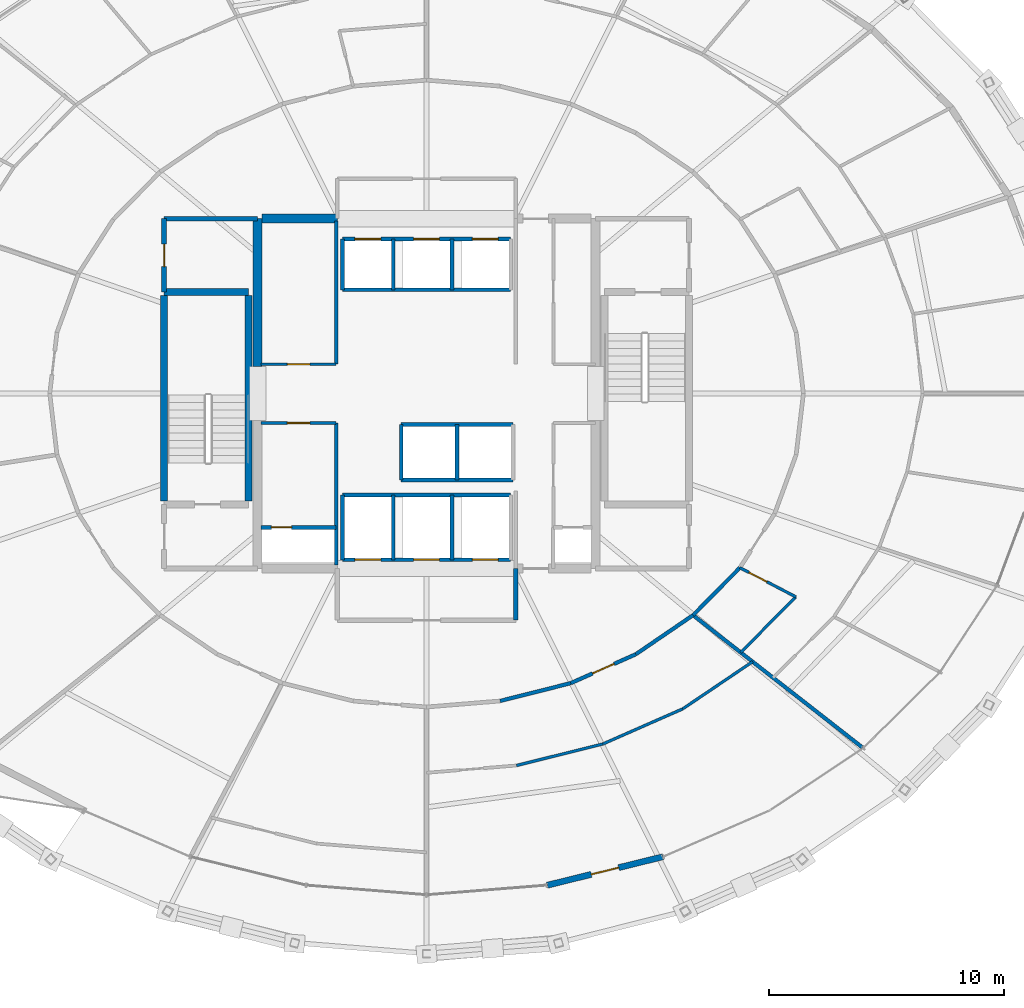
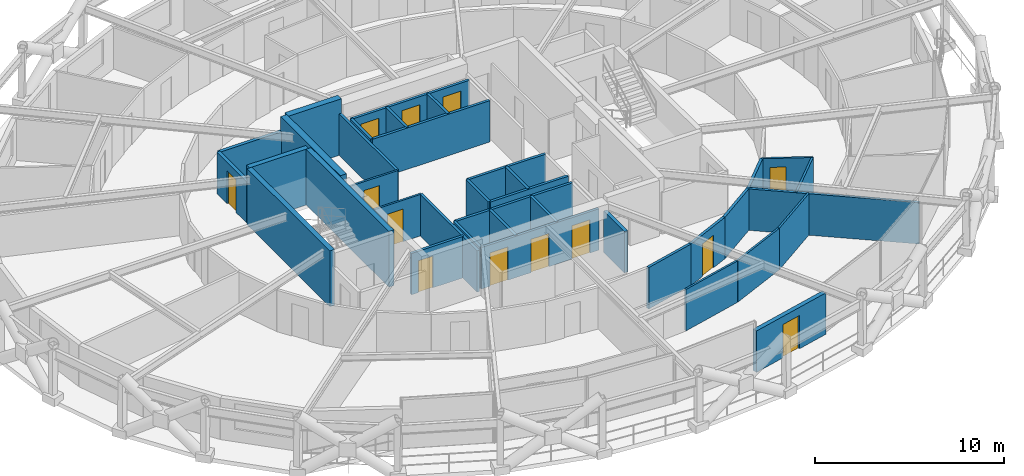
# One storey, part 16 of 23: 38 walls, 13 doors, 13 openings.
"""IFC4 building model written with IfcOpenShell, lengths in metres."""

import ifcopenshell
import ifcopenshell.guid

model = None  # the IFC model being written
_history = None  # IfcOwnerHistory: only IFC2X3 demands one
_inside = {}  # id of a spatial element -> (the spatial element, [elements in it])
_under = {}  # id of a project, library or spatial element -> (it, [spatial elements below it])
_declared = {}  # id of a project -> (the project, [libraries it declares])
_typed = {}  # id of a type object -> (the type object, [elements of that type])
_made_of = {}  # id of a material, layer set ... -> (it, [elements and type objects made of it])


def new_model(schema):
    """Start an empty IFC model of exactly this schema.

    Asked for "IFC4X3", IfcOpenShell would pick the latest addendum, in which some entities
    have other attributes; the version numbers below select the first issue.
    IFC2X3 requires an IfcOwnerHistory on every rooted entity: one is made here for all.
    """
    global model, _history
    if schema == "IFC4X3":
        model = ifcopenshell.file(schema_version=(4, 3, 0, 0))
    else:
        model = ifcopenshell.file(schema=schema)
    _inside.clear()
    _under.clear()
    _declared.clear()
    _typed.clear()
    _made_of.clear()
    _history = None
    if model.schema == "IFC2X3":
        org = make("IfcOrganization", Name="unknown")
        user = make(
            "IfcPersonAndOrganization",
            ThePerson=make("IfcPerson", FamilyName="unknown"),
            TheOrganization=org,
        )
        app = make(
            "IfcApplication",
            ApplicationDeveloper=org,
            Version="unknown",
            ApplicationFullName="unknown",
            ApplicationIdentifier="unknown",
        )
        _history = make(
            "IfcOwnerHistory",
            OwningUser=user,
            OwningApplication=app,
            ChangeAction="ADDED",
            CreationDate=0,
        )
    return model


def make(cls, **values):
    """One entity of the class cls with the attributes given. An attribute that is None is left unset."""
    return model.create_entity(
        cls, **{name: value for name, value in values.items() if value is not None}
    )


def rooted(cls, **values):
    """An entity with a GlobalId (a new one), such as an element, a storey or a relation."""
    return make(cls, GlobalId=ifcopenshell.guid.new(), OwnerHistory=_history, **values)


def si_unit(unit_type, name, prefix=None):
    """IfcSIUnit, for example si_unit("LENGTHUNIT", "METRE", prefix="MILLI")."""
    return make("IfcSIUnit", UnitType=unit_type, Prefix=prefix, Name=name)


def assignment(units):
    """IfcUnitAssignment: the units of a project."""
    return None if units is None else make("IfcUnitAssignment", Units=units)


def point(xyz):
    """IfcCartesianPoint."""
    return None if xyz is None else make("IfcCartesianPoint", Coordinates=xyz)


def direction(xyz):
    """IfcDirection."""
    return None if xyz is None else make("IfcDirection", DirectionRatios=xyz)


def frame(location, z_axis=None, x_axis=None):
    """IfcAxis2Placement3D, a coordinate frame: its origin and axes. An axis left out is left unset."""
    return make(
        "IfcAxis2Placement3D",
        Location=point(location),
        Axis=direction(z_axis),
        RefDirection=direction(x_axis),
    )


def frame_2d(location, x_axis=None):
    """IfcAxis2Placement2D, a coordinate frame in the plane: its origin and x axis."""
    return make(
        "IfcAxis2Placement2D", Location=point(location), RefDirection=direction(x_axis)
    )


def origin():
    """The frame at (0, 0, 0) with its axes left unset."""
    return frame((0.0, 0.0, 0.0))


def place(relative_to, where):
    """IfcLocalPlacement: puts the frame where relative to a parent placement (None: the world)."""
    return make(
        "IfcLocalPlacement", PlacementRelTo=relative_to, RelativePlacement=where
    )


def context(
    kind, dimensions, precision=None, world=None, true_north=None, identifier=None
):
    """IfcGeometricRepresentationContext, for example the 3D "Model" context."""
    return make(
        "IfcGeometricRepresentationContext",
        ContextIdentifier=identifier,
        ContextType=kind,
        CoordinateSpaceDimension=dimensions,
        Precision=precision,
        WorldCoordinateSystem=world,
        TrueNorth=true_north,
    )


def subcontext(parent, identifier, kind, view, scale=None):
    """IfcGeometricRepresentationSubContext, for example "Body" below "Model"."""
    return make(
        "IfcGeometricRepresentationSubContext",
        ContextIdentifier=identifier,
        ContextType=kind,
        ParentContext=parent,
        TargetScale=scale,
        TargetView=view,
    )


def project(units=None, contexts=None):
    """IfcProject with its units and contexts."""
    return rooted(
        "IfcProject",
        Name="project",
        RepresentationContexts=contexts,
        UnitsInContext=assignment(units),
    )


def spatial(cls, under=None, at=None, **own):
    """A site, building, storey or space (cls), placed at a placement, below another one or the project."""
    s = rooted(cls, ObjectPlacement=at, **own)
    if under is not None:
        _under.setdefault(under.id(), (under, []))[1].append(s)
    return s


def profile(cls, at=None, kind="AREA", **sizes):
    """A parametric profile (cls). Its sizes go by their IFC names, for example OverallWidth=200.0."""
    return make(cls, ProfileType=kind, Position=at, **sizes)


def rectangle(**sizes):
    """IfcRectangleProfileDef."""
    return profile("IfcRectangleProfileDef", **sizes)


def extrude(swept, where, along, depth):
    """IfcExtrudedAreaSolid: the profile swept, set in the frame where, extruded along a direction by depth."""
    return make(
        "IfcExtrudedAreaSolid",
        SweptArea=swept,
        Position=where,
        ExtrudedDirection=direction(along),
        Depth=depth,
    )


def shape(context_of_items, identifier, shape_type, items):
    """IfcShapeRepresentation: the items that make up one representation, for example the "Body"."""
    return make(
        "IfcShapeRepresentation",
        ContextOfItems=context_of_items,
        RepresentationIdentifier=identifier,
        RepresentationType=shape_type,
        Items=items,
    )


def material(Name=None, Category=None):
    """IfcMaterial."""
    return make("IfcMaterial", Name=Name, Category=Category)


def layer(
    of_material, thickness, ventilated=None, Name=None, Category=None, Priority=None
):
    """IfcMaterialLayer: one layer of a wall or slab, of a material (None: an air gap)."""
    return make(
        "IfcMaterialLayer",
        Material=of_material,
        LayerThickness=thickness,
        IsVentilated=ventilated,
        Name=Name,
        Category=Category,
        Priority=Priority,
    )


def layer_set(layers, Name=None):
    """IfcMaterialLayerSet."""
    return make("IfcMaterialLayerSet", MaterialLayers=layers, LayerSetName=Name)


def made_of(thing, what):
    """Note that an element or type object is made of a material, layer set ...; save() writes the relation."""
    if what is not None:
        _made_of.setdefault(what.id(), (what, []))[1].append(thing)
    return thing


def type_object(cls, material=None, **own):
    """A type object (cls), such as IfcWallType, which elements share."""
    return made_of(rooted(cls, **own), material)


def element(
    cls,
    number,
    at=None,
    inside=None,
    cuts=None,
    type_object=None,
    material=None,
    context=None,
    identifier="Body",
    shape_type=None,
    held_by="IfcProductDefinitionShape",
    body=None,
    shapes=None,
    **own,
):
    """One element of the class cls, such as IfcWall. Its Tag is "e" and its number.

    at: its placement. inside: the storey or other place that contains it. cuts: it is an
    opening in that element (IfcRelVoidsElement). A single representation is given by context,
    identifier, shape_type and body (its items); several are given by shapes. held_by: the class
    of the entity that holds the representations. save() writes the other relations.
    """
    e = rooted(cls, Tag="e%d" % number, ObjectPlacement=at, **own)
    if body is not None:
        shapes = [shape(context, identifier, shape_type, body)]
    if shapes is not None:
        e.Representation = make(held_by, Representations=shapes)
    if inside is not None:
        _inside.setdefault(inside.id(), (inside, []))[1].append(e)
    if cuts is not None:
        rooted(
            "IfcRelVoidsElement", RelatingBuildingElement=cuts, RelatedOpeningElement=e
        )
    if type_object is not None:
        _typed.setdefault(type_object.id(), (type_object, []))[1].append(e)
    return made_of(e, material)


def fill(opening, filler):
    """IfcRelFillsElement: the door or window that sits in an opening."""
    return rooted(
        "IfcRelFillsElement",
        RelatingOpeningElement=opening,
        RelatedBuildingElement=filler,
    )


def aggregate(whole, parts):
    """IfcRelAggregates: a whole, such as a stair, and the parts it consists of."""
    return rooted("IfcRelAggregates", RelatingObject=whole, RelatedObjects=parts)


def save(model, path):
    """Write the relations noted so far, then the file.

    IfcRelAggregates (storeys below a building ...), IfcRelContainedInSpatialStructure (elements
    in a storey), IfcRelDefinesByType, IfcRelAssociatesMaterial and IfcRelDeclares: one each for
    every whole, place, type object, material and project.
    """
    for whole, parts in _under.values():
        aggregate(whole, parts)
    for where, things in _inside.values():
        rooted(
            "IfcRelContainedInSpatialStructure",
            RelatedElements=things,
            RelatingStructure=where,
        )
    for kind, things in _typed.values():
        rooted("IfcRelDefinesByType", RelatedObjects=things, RelatingType=kind)
    for what, things in _made_of.values():
        rooted("IfcRelAssociatesMaterial", RelatedObjects=things, RelatingMaterial=what)
    for by, libraries in _declared.values():
        rooted("IfcRelDeclares", RelatingContext=by, RelatedDefinitions=libraries)
    model.write(path)


model = new_model("IFC4")

# Units and contexts
model_context = context("Model", 3, precision=1e-05, world=origin(), true_north=direction((0.0, 1.0)))
body_context = subcontext(model_context, "Body", "Model", "MODEL_VIEW")
ifc_project = project(units=[si_unit("LENGTHUNIT", "METRE"), si_unit("AREAUNIT", "SQUARE_METRE"), si_unit("VOLUMEUNIT", "CUBIC_METRE"), si_unit("PLANEANGLEUNIT", "RADIAN"), si_unit("MASSUNIT", "GRAM", prefix="KILO")], contexts=[model_context])

# Site, building, storey
site_placement = place(None, origin())
site = spatial("IfcSite", under=ifc_project, at=site_placement, CompositionType="ELEMENT")
building_placement = place(site_placement, origin())
building = spatial("IfcBuilding", under=site, at=building_placement, Name="Veldorina Hangang Commons", CompositionType="ELEMENT")
storey_placement = place(building_placement, frame((0.0, 0.0, 102.39990234375)))
storey = spatial("IfcBuildingStorey", under=building, at=storey_placement, Name="L26", CompositionType="ELEMENT", Elevation=102.39990234375)

# Walls
ifc_material_1 = material(Name="Concrete C70/85", Category="concrete")
ifc_layer_1 = layer(ifc_material_1, 0.3798828125)
ifc_layer_set_1 = layer_set([ifc_layer_1], Name="Concrete C70/85")
wall_type_1 = type_object("IfcWallType", Name="CW-RC380-C70", PredefinedType="SHEAR", material=ifc_layer_set_1)
wall_1_placement = place(storey_placement, frame((24.800048828125, 25.14990234375, 0.0), z_axis=(0.0, 0.0, 1.0), x_axis=(0.0, 1.0, 0.0)))
element("IfcWall", 1, at=wall_1_placement, inside=storey, type_object=wall_type_1, Name="L26 W north core shear wall", PredefinedType="SHEAR", context=body_context, shape_type="SweptSolid", body=[
    extrude(rectangle(XDim=6.300048828125, YDim=0.3798828125, at=frame_2d((3.14990234375, 0.0))), origin(), (0.0, 0.0, 1.0), 3.60009765625),
])
wall_2_placement = place(storey_placement, frame((24.989990234375, 31.449951171875, 0.0), z_axis=(0.0, 0.0, 1.0), x_axis=(1.0, 0.0, 0.0)))
element("IfcWall", 2, at=wall_2_placement, inside=storey, type_object=wall_type_1, Name="L26 north-west core shear wall", PredefinedType="SHEAR", context=body_context, shape_type="SweptSolid", body=[
    extrude(rectangle(XDim=3.2099609375, YDim=0.3798828125, at=frame_2d((1.60498046875, 0.0))), origin(), (0.0, 0.0, 1.0), 3.60009765625),
])

# Wall, opening, door
ifc_material_2 = material(Name="Stone Roman Travertine", Category="masonry")
ifc_layer_2 = layer(ifc_material_2, 0.260009765625)
ifc_layer_set_2 = layer_set([ifc_layer_2], Name="Stone Roman Travertine")
wall_type_2 = type_object("IfcWallType", Name="EW-LOGGIA-260", PredefinedType="STANDARD", material=ifc_layer_set_2)
wall_3_placement = place(storey_placement, frame((37.130859375, 3.056640625, 0.0), z_axis=(0.0, 0.0, 1.0), x_axis=(0.970984503722, 0.239142412659, 0.0)))
wall_3 = element("IfcWall", 3, at=wall_3_placement, inside=storey, type_object=wall_type_2, Name="L26 sky-garden loggia portal wall 25", PredefinedType="STANDARD", context=body_context, shape_type="SweptSolid", body=[
    extrude(rectangle(XDim=5.0810546875, YDim=0.260009765625, at=frame_2d((2.54052734375, 0.0))), origin(), (0.0, 0.0, 1.0), 2.670166015625),
])
opening_1_placement = place(wall_3_placement, frame((1.9404296875, 0.0, 0.0)))
opening_1 = element("IfcOpeningElement", 4, at=opening_1_placement, cuts=wall_3, Name="Opening BD-1200", PredefinedType="OPENING", context=body_context, shape_type="SweptSolid", body=[
    extrude(rectangle(XDim=1.199951171875, YDim=2.14990234375, at=frame_2d((0.60009765625, 1.074951171875))), frame((0.0, 0.14013671875, 0.0), z_axis=(0.0, -1.0, 0.0), x_axis=(1.0, 0.0, 0.0)), (0.0, 0.0, 1.0), 0.280029296875),
])
ifc_material_3 = material(Name="Glass Thermal Aluminium Frame", Category="aluminium")
door_type_1 = type_object("IfcDoorType", Name="DR-EXT-LOG1200", OperationType="SINGLE_SWING_LEFT", PredefinedType="DOOR", material=ifc_material_3)
door_1_placement = place(opening_1_placement, origin())
door_1 = element("IfcDoor", 5, at=door_1_placement, inside=storey, type_object=door_type_1, Name="L26 loggia glazed exterior door 25", OperationType="SINGLE_SWING_RIGHT", OverallHeight=2.14990234375, OverallWidth=1.199951171875, PredefinedType="DOOR", context=body_context, shape_type="SweptSolid", body=[
    extrude(rectangle(XDim=1.199951171875, YDim=2.14990234375, at=frame_2d((0.60009765625, 1.074951171875))), frame((0.0, 0.02490234375, 0.0), z_axis=(0.0, -1.0, 0.0), x_axis=(1.0, 0.0, 0.0)), (0.0, 0.0, 1.0), 0.050048828125),
])
fill(opening_1, door_1)

# Walls
ifc_material_4 = material(Name="Concrete C50/60", Category="concrete")
ifc_layer_3 = layer(ifc_material_4, 0.300048828125)
ifc_layer_set_3 = layer_set([ifc_layer_3], Name="Concrete C50/60")
wall_type_3 = type_object("IfcWallType", Name="SW-STAIR-300", PredefinedType="SHEAR", material=ifc_layer_set_3)
for number, where, z_axis, x_axis, name in (
    (6, (20.820068359375, 19.429931640625, 0.0), (0.0, 0.0, 1.0), (0.0, 1.0, 0.0), "L26 ST1 outer stair shear wall"),
    (7, (24.419921875, 19.429931640625, 0.0), (0.0, 0.0, 1.0), (0.0, 1.0, 0.0), "L26 ST1 inner stair shear wall"),
):
    element("IfcWall", number, at=place(storey_placement, frame(where, z_axis=z_axis, x_axis=x_axis)), inside=storey, type_object=wall_type_3, Name=name, PredefinedType="SHEAR", context=body_context, shape_type="SweptSolid", body=[
        extrude(rectangle(XDim=8.739990234375, YDim=0.300048828125, at=frame_2d((4.3701171875, 0.0))), origin(), (0.0, 0.0, 1.0), 3.60009765625),
    ])
wall_4_placement = place(storey_placement, frame((20.820068359375, 28.320068359375, 0.0), z_axis=(0.0, 0.0, 1.0), x_axis=(1.0, 0.0, 0.0)))
element("IfcWall", 8, at=wall_4_placement, inside=storey, type_object=wall_type_3, Name="L26 ST1 north stair shear wall", PredefinedType="SHEAR", context=body_context, shape_type="SweptSolid", body=[
    extrude(rectangle(XDim=3.599853515625, YDim=0.300048828125, at=frame_2d((1.7998046875, 0.0))), origin(), (0.0, 0.0, 1.0), 3.60009765625),
])

# Wall, openings, doors
ifc_material_5 = material(Name="Gypsum Fire-Rated Twin Stud Wall", Category="gypsum")
ifc_layer_4 = layer(ifc_material_5, 0.159912109375)
ifc_layer_set_4 = layer_set([ifc_layer_4], Name="Gypsum Fire-Rated Twin Stud Wall")
wall_type_4 = type_object("IfcWallType", Name="WL-FIRE-160", PredefinedType="SOLIDWALL", material=ifc_layer_set_4)
wall_5_placement = place(storey_placement, frame((28.419921875, 30.580078125, 0.0), z_axis=(0.0, 0.0, 1.0), x_axis=(1.0, 0.0, 0.0)))
wall_5 = element("IfcWall", 9, at=wall_5_placement, inside=storey, type_object=wall_type_4, Name="L26 Low-bank front shaft wall 015", PredefinedType="SOLIDWALL", context=body_context, shape_type="SweptSolid", body=[
    extrude(rectangle(XDim=7.16015625, YDim=0.159912109375, at=frame_2d((3.580078125, 0.0))), origin(), (0.0, 0.0, 1.0), 2.670166015625),
])
opening_2_placement = place(wall_5_placement, frame((0.530029296875, 0.0, 0.0)))
opening_2 = element("IfcOpeningElement", 10, at=opening_2_placement, cuts=wall_5, Name="Opening LD-01", PredefinedType="OPENING", context=body_context, shape_type="SweptSolid", body=[
    extrude(rectangle(XDim=1.10009765625, YDim=2.14990234375, at=frame_2d((0.550048828125, 1.074951171875))), frame((0.0, 0.08984375, 0.0), z_axis=(0.0, -1.0, 0.0), x_axis=(1.0, 0.0, 0.0)), (0.0, 0.0, 1.0), 0.179931640625),
])
opening_3_placement = place(wall_5_placement, frame((3.030029296875, 0.0, 0.0)))
opening_3 = element("IfcOpeningElement", 11, at=opening_3_placement, cuts=wall_5, Name="Opening LD-01", PredefinedType="OPENING", context=body_context, shape_type="SweptSolid", body=[
    extrude(rectangle(XDim=1.10009765625, YDim=2.14990234375, at=frame_2d((0.550048828125, 1.074951171875))), frame((0.0, 0.08984375, 0.0), z_axis=(0.0, -1.0, 0.0), x_axis=(1.0, 0.0, 0.0)), (0.0, 0.0, 1.0), 0.179931640625),
])
opening_4_placement = place(wall_5_placement, frame((5.530029296875, 0.0, 0.0)))
opening_4 = element("IfcOpeningElement", 12, at=opening_4_placement, cuts=wall_5, Name="Opening LD-01", PredefinedType="OPENING", context=body_context, shape_type="SweptSolid", body=[
    extrude(rectangle(XDim=1.10009765625, YDim=2.14990234375, at=frame_2d((0.550048828125, 1.074951171875))), frame((0.0, 0.08984375, 0.0), z_axis=(0.0, -1.0, 0.0), x_axis=(1.0, 0.0, 0.0)), (0.0, 0.0, 1.0), 0.179931640625),
])
ifc_material_6 = material(Name="Stainless Steel Brushed Lift Door", Category="steel")
door_type_2 = type_object("IfcDoorType", Name="DR-LIFT-1100", OperationType="SLIDING_TO_LEFT", PredefinedType="DOOR", material=ifc_material_6)
door_2_placement = place(opening_2_placement, origin())
door_2 = element("IfcDoor", 13, at=door_2_placement, inside=storey, type_object=door_type_2, Name="L26 Lift PL-L1 landing door 006", OperationType="SLIDING_TO_LEFT", OverallHeight=2.14990234375, OverallWidth=1.10009765625, PredefinedType="DOOR", context=body_context, shape_type="SweptSolid", body=[
    extrude(rectangle(XDim=1.10009765625, YDim=2.14990234375, at=frame_2d((0.550048828125, 1.074951171875))), frame((0.0, 0.02490234375, 0.0), z_axis=(0.0, -1.0, 0.0), x_axis=(1.0, 0.0, 0.0)), (0.0, 0.0, 1.0), 0.050048828125),
])
fill(opening_2, door_2)
door_3_placement = place(opening_3_placement, origin())
door_3 = element("IfcDoor", 14, at=door_3_placement, inside=storey, type_object=door_type_2, Name="L26 Lift PL-L2 landing door 007", OperationType="SLIDING_TO_LEFT", OverallHeight=2.14990234375, OverallWidth=1.10009765625, PredefinedType="DOOR", context=body_context, shape_type="SweptSolid", body=[
    extrude(rectangle(XDim=1.10009765625, YDim=2.14990234375, at=frame_2d((0.550048828125, 1.074951171875))), frame((0.0, 0.02490234375, 0.0), z_axis=(0.0, -1.0, 0.0), x_axis=(1.0, 0.0, 0.0)), (0.0, 0.0, 1.0), 0.050048828125),
])
fill(opening_3, door_3)
door_4_placement = place(opening_4_placement, origin())
door_4 = element("IfcDoor", 15, at=door_4_placement, inside=storey, type_object=door_type_2, Name="L26 Lift PL-L3 landing door 008", OperationType="SLIDING_TO_LEFT", OverallHeight=2.14990234375, OverallWidth=1.10009765625, PredefinedType="DOOR", context=body_context, shape_type="SweptSolid", body=[
    extrude(rectangle(XDim=1.10009765625, YDim=2.14990234375, at=frame_2d((0.550048828125, 1.074951171875))), frame((0.0, 0.02490234375, 0.0), z_axis=(0.0, -1.0, 0.0), x_axis=(1.0, 0.0, 0.0)), (0.0, 0.0, 1.0), 0.050048828125),
])
fill(opening_4, door_4)

# Walls
wall_6_placement = place(storey_placement, frame((28.419921875, 28.419921875, 0.0), z_axis=(0.0, 0.0, 1.0), x_axis=(1.0, 0.0, 0.0)))
element("IfcWall", 16, at=wall_6_placement, inside=storey, type_object=wall_type_4, Name="L26 Low-bank rear shaft wall 016", PredefinedType="SOLIDWALL", context=body_context, shape_type="SweptSolid", body=[
    extrude(rectangle(XDim=7.16015625, YDim=0.159912109375, at=frame_2d((3.580078125, 0.0))), origin(), (0.0, 0.0, 1.0), 2.670166015625),
])
for number, where, z_axis, x_axis, name in (
    (17, (28.419921875, 28.419921875, 0.0), (0.0, 0.0, 1.0), (0.0, 1.0, 0.0), "L26 PL-L1 west shaft wall 017"),
    (18, (30.580078125, 28.419921875, 0.0), (0.0, 0.0, 1.0), (0.0, 1.0, 0.0), "L26 PL-L1 east shaft wall 018"),
    (19, (33.080078125, 28.419921875, 0.0), (0.0, 0.0, 1.0), (0.0, 1.0, 0.0), "L26 PL-L2 east shaft wall 019"),
):
    element("IfcWall", number, at=place(storey_placement, frame(where, z_axis=z_axis, x_axis=x_axis)), inside=storey, type_object=wall_type_4, Name=name, PredefinedType="SOLIDWALL", context=body_context, shape_type="SweptSolid", body=[
        extrude(rectangle(XDim=2.16015625, YDim=0.159912109375, at=frame_2d((1.080078125, 0.0))), origin(), (0.0, 0.0, 1.0), 2.670166015625),
    ])
for number, where, z_axis, x_axis, name in (
    (20, (30.919921875, 22.679931640625, 0.0), (0.0, 0.0, 1.0), (1.0, 0.0, 0.0), "L26 Shuttle-high front shaft wall 021"),
    (21, (30.919921875, 20.320068359375, 0.0), (0.0, 0.0, 1.0), (1.0, 0.0, 0.0), "L26 Shuttle-high rear shaft wall 022"),
):
    element("IfcWall", number, at=place(storey_placement, frame(where, z_axis=z_axis, x_axis=x_axis)), inside=storey, type_object=wall_type_4, Name=name, PredefinedType="SOLIDWALL", context=body_context, shape_type="SweptSolid", body=[
        extrude(rectangle(XDim=4.760009765625, YDim=0.159912109375, at=frame_2d((2.3798828125, 0.0))), origin(), (0.0, 0.0, 1.0), 2.670166015625),
    ])
for number, where, z_axis, x_axis, name in (
    (22, (30.919921875, 20.320068359375, 0.0), (0.0, 0.0, 1.0), (0.0, 1.0, 0.0), "L26 SL-1 west shaft wall 023"),
    (23, (33.300048828125, 20.320068359375, 0.0), (0.0, 0.0, 1.0), (0.0, 1.0, 0.0), "L26 SL-1 east shaft wall 024"),
):
    element("IfcWall", number, at=place(storey_placement, frame(where, z_axis=z_axis, x_axis=x_axis)), inside=storey, type_object=wall_type_4, Name=name, PredefinedType="SOLIDWALL", context=body_context, shape_type="SweptSolid", body=[
        extrude(rectangle(XDim=2.35986328125, YDim=0.159912109375, at=frame_2d((1.179931640625, 0.0))), origin(), (0.0, 0.0, 1.0), 2.670166015625),
    ])

# Wall, openings, doors
wall_7_placement = place(storey_placement, frame((28.419921875, 16.919921875, 0.0), z_axis=(0.0, 0.0, 1.0), x_axis=(1.0, 0.0, 0.0)))
wall_7 = element("IfcWall", 24, at=wall_7_placement, inside=storey, type_object=wall_type_4, Name="L26 Emergency front shaft wall 026", PredefinedType="SOLIDWALL", context=body_context, shape_type="SweptSolid", body=[
    extrude(rectangle(XDim=7.16015625, YDim=0.159912109375, at=frame_2d((3.580078125, 0.0))), origin(), (0.0, 0.0, 1.0), 2.670166015625),
])
opening_5_placement = place(wall_7_placement, frame((0.530029296875, 0.0, 0.0)))
opening_5 = element("IfcOpeningElement", 25, at=opening_5_placement, cuts=wall_7, Name="Opening LD-03", PredefinedType="OPENING", context=body_context, shape_type="SweptSolid", body=[
    extrude(rectangle(XDim=1.10009765625, YDim=2.14990234375, at=frame_2d((0.550048828125, 1.074951171875))), frame((0.0, 0.08984375, 0.0), z_axis=(0.0, -1.0, 0.0), x_axis=(1.0, 0.0, 0.0)), (0.0, 0.0, 1.0), 0.179931640625),
])
opening_6_placement = place(wall_7_placement, frame((3.030029296875, 0.0, 0.0)))
opening_6 = element("IfcOpeningElement", 26, at=opening_6_placement, cuts=wall_7, Name="Opening LD-03", PredefinedType="OPENING", context=body_context, shape_type="SweptSolid", body=[
    extrude(rectangle(XDim=1.10009765625, YDim=2.14990234375, at=frame_2d((0.550048828125, 1.074951171875))), frame((0.0, 0.08984375, 0.0), z_axis=(0.0, -1.0, 0.0), x_axis=(1.0, 0.0, 0.0)), (0.0, 0.0, 1.0), 0.179931640625),
])
opening_7_placement = place(wall_7_placement, frame((5.530029296875, 0.0, 0.0)))
opening_7 = element("IfcOpeningElement", 27, at=opening_7_placement, cuts=wall_7, Name="Opening LD-03", PredefinedType="OPENING", context=body_context, shape_type="SweptSolid", body=[
    extrude(rectangle(XDim=1.10009765625, YDim=2.14990234375, at=frame_2d((0.550048828125, 1.074951171875))), frame((0.0, 0.08984375, 0.0), z_axis=(0.0, -1.0, 0.0), x_axis=(1.0, 0.0, 0.0)), (0.0, 0.0, 1.0), 0.179931640625),
])
ifc_material_7 = material(Name="Stainless Steel Firefighting Lift Door", Category="steel")
door_type_3 = type_object("IfcDoorType", Name="DR-LIFT-FF1100", OperationType="SLIDING_TO_RIGHT", PredefinedType="DOOR", material=ifc_material_7)
door_5_placement = place(opening_5_placement, origin())
door_5 = element("IfcDoor", 28, at=door_5_placement, inside=storey, type_object=door_type_3, Name="L26 Emergency lift FFL-1 landing door 009", OperationType="SLIDING_TO_RIGHT", OverallHeight=2.14990234375, OverallWidth=1.10009765625, PredefinedType="DOOR", context=body_context, shape_type="SweptSolid", body=[
    extrude(rectangle(XDim=1.10009765625, YDim=2.14990234375, at=frame_2d((0.550048828125, 1.074951171875))), frame((0.0, 0.02490234375, 0.0), z_axis=(0.0, -1.0, 0.0), x_axis=(1.0, 0.0, 0.0)), (0.0, 0.0, 1.0), 0.050048828125),
])
fill(opening_5, door_5)
door_6_placement = place(opening_6_placement, origin())
door_6 = element("IfcDoor", 29, at=door_6_placement, inside=storey, type_object=door_type_3, Name="L26 Emergency lift FFL-2 landing door 010", OperationType="SLIDING_TO_RIGHT", OverallHeight=2.14990234375, OverallWidth=1.10009765625, PredefinedType="DOOR", context=body_context, shape_type="SweptSolid", body=[
    extrude(rectangle(XDim=1.10009765625, YDim=2.14990234375, at=frame_2d((0.550048828125, 1.074951171875))), frame((0.0, 0.02490234375, 0.0), z_axis=(0.0, -1.0, 0.0), x_axis=(1.0, 0.0, 0.0)), (0.0, 0.0, 1.0), 0.050048828125),
])
fill(opening_6, door_6)
door_7_placement = place(opening_7_placement, origin())
door_7 = element("IfcDoor", 30, at=door_7_placement, inside=storey, type_object=door_type_3, Name="L26 Emergency lift EVL-1 landing door 011", OperationType="SLIDING_TO_RIGHT", OverallHeight=2.14990234375, OverallWidth=1.10009765625, PredefinedType="DOOR", context=body_context, shape_type="SweptSolid", body=[
    extrude(rectangle(XDim=1.10009765625, YDim=2.14990234375, at=frame_2d((0.550048828125, 1.074951171875))), frame((0.0, 0.02490234375, 0.0), z_axis=(0.0, -1.0, 0.0), x_axis=(1.0, 0.0, 0.0)), (0.0, 0.0, 1.0), 0.050048828125),
])
fill(opening_7, door_7)

# Walls
wall_8_placement = place(storey_placement, frame((28.419921875, 19.679931640625, 0.0), z_axis=(0.0, 0.0, 1.0), x_axis=(1.0, 0.0, 0.0)))
element("IfcWall", 31, at=wall_8_placement, inside=storey, type_object=wall_type_4, Name="L26 Emergency rear shaft wall 027", PredefinedType="SOLIDWALL", context=body_context, shape_type="SweptSolid", body=[
    extrude(rectangle(XDim=7.16015625, YDim=0.159912109375, at=frame_2d((3.580078125, 0.0))), origin(), (0.0, 0.0, 1.0), 2.670166015625),
])
for number, where, z_axis, x_axis, name in (
    (32, (28.419921875, 16.919921875, 0.0), (0.0, 0.0, 1.0), (0.0, 1.0, 0.0), "L26 FFL-1 west shaft wall 028"),
    (33, (30.580078125, 16.919921875, 0.0), (0.0, 0.0, 1.0), (0.0, 1.0, 0.0), "L26 FFL-1 east shaft wall 029"),
    (34, (33.080078125, 16.919921875, 0.0), (0.0, 0.0, 1.0), (0.0, 1.0, 0.0), "L26 FFL-2 east shaft wall 030"),
):
    element("IfcWall", number, at=place(storey_placement, frame(where, z_axis=z_axis, x_axis=x_axis)), inside=storey, type_object=wall_type_4, Name=name, PredefinedType="SOLIDWALL", context=body_context, shape_type="SweptSolid", body=[
        extrude(rectangle(XDim=2.760009765625, YDim=0.159912109375, at=frame_2d((1.3798828125, 0.0))), origin(), (0.0, 0.0, 1.0), 2.670166015625),
    ])

# Wall, opening, door
wall_9_placement = place(storey_placement, frame((24.949951171875, 18.300048828125, 0.0), z_axis=(0.0, 0.0, 1.0), x_axis=(1.0, 0.0, 0.0)))
wall_9 = element("IfcWall", 35, at=wall_9_placement, inside=storey, type_object=wall_type_4, Name="L26 Electrical riser wall 035", PredefinedType="SOLIDWALL", context=body_context, shape_type="SweptSolid", body=[
    extrude(rectangle(XDim=3.199951171875, YDim=0.159912109375, at=frame_2d((1.60009765625, 0.0))), origin(), (0.0, 0.0, 1.0), 2.670166015625),
])
opening_8_placement = place(wall_9_placement, frame((0.43994140625, 0.0, 0.0)))
opening_8 = element("IfcOpeningElement", 36, at=opening_8_placement, cuts=wall_9, Name="Opening D-12", PredefinedType="OPENING", context=body_context, shape_type="SweptSolid", body=[
    extrude(rectangle(XDim=0.860107421875, YDim=2.050048828125, at=frame_2d((0.43017578125, 1.02490234375))), frame((0.0, 0.08984375, 0.0), z_axis=(0.0, -1.0, 0.0), x_axis=(1.0, 0.0, 0.0)), (0.0, 0.0, 1.0), 0.179931640625),
])
ifc_material_8 = material(Name="Steel Insulated Riser Access", Category="steel")
door_type_4 = type_object("IfcDoorType", Name="DR-TRAP-860", OperationType="SINGLE_SWING_LEFT", PredefinedType="TRAPDOOR", material=ifc_material_8)
door_8_placement = place(opening_8_placement, origin())
door_8 = element("IfcDoor", 37, at=door_8_placement, inside=storey, type_object=door_type_4, Name="L26 Electrical riser access door 013", OperationType="SINGLE_SWING_LEFT", OverallHeight=2.050048828125, OverallWidth=0.860107421875, PredefinedType="TRAPDOOR", context=body_context, shape_type="SweptSolid", body=[
    extrude(rectangle(XDim=0.860107421875, YDim=2.050048828125, at=frame_2d((0.43017578125, 1.02490234375))), frame((0.0, 0.02490234375, 0.0), z_axis=(0.0, -1.0, 0.0), x_axis=(1.0, 0.0, 0.0)), (0.0, 0.0, 1.0), 0.050048828125),
])
fill(opening_8, door_8)

# Walls
wall_10_placement = place(storey_placement, frame((28.14990234375, 16.699951171875, 0.0), z_axis=(0.0, 0.0, 1.0), x_axis=(0.0, 1.0, 0.0)))
element("IfcWall", 38, at=wall_10_placement, inside=storey, type_object=wall_type_4, Name="L26 SW core inner wall 036", PredefinedType="SOLIDWALL", context=body_context, shape_type="SweptSolid", body=[
    extrude(rectangle(XDim=6.050048828125, YDim=0.159912109375, at=frame_2d((3.02490234375, 0.0))), origin(), (0.0, 0.0, 1.0), 2.670166015625),
])
wall_11_placement = place(storey_placement, frame((28.14990234375, 25.25, 0.0), z_axis=(0.0, 0.0, 1.0), x_axis=(0.0, 1.0, 0.0)))
element("IfcWall", 39, at=wall_11_placement, inside=storey, type_object=wall_type_4, Name="L26 NW core inner wall 038", PredefinedType="SOLIDWALL", context=body_context, shape_type="SweptSolid", body=[
    extrude(rectangle(XDim=6.10009765625, YDim=0.159912109375, at=frame_2d((3.050048828125, 0.0))), origin(), (0.0, 0.0, 1.0), 2.670166015625),
])
wall_12_placement = place(storey_placement, frame((35.131103515625, 10.906494140625, 0.0), z_axis=(0.0, 0.0, 1.0), x_axis=(0.969608333194, 0.244662380029, 0.0)))
element("IfcWall", 40, at=wall_12_placement, inside=storey, type_object=wall_type_4, Name="L26 Corridor outer wall 25 070", PredefinedType="SOLIDWALL", context=body_context, shape_type="SweptSolid", body=[
    extrude(rectangle(XDim=3.10546875, YDim=0.159912109375, at=frame_2d((1.552734375, 0.0))), origin(), (0.0, 0.0, 1.0), 2.670166015625),
])

# Wall, opening, door
wall_13_placement = place(storey_placement, frame((38.14208984375, 11.666259765625, 0.0), z_axis=(0.0, 0.0, 1.0), x_axis=(0.913768445178, 0.406235434936, 0.0)))
wall_13 = element("IfcWall", 41, at=wall_13_placement, inside=storey, type_object=wall_type_4, Name="L26 Corridor outer wall 26 071", PredefinedType="SOLIDWALL", context=body_context, shape_type="SweptSolid", body=[
    extrude(rectangle(XDim=3.036865234375, YDim=0.159912109375, at=frame_2d((1.5185546875, 0.0))), origin(), (0.0, 0.0, 1.0), 2.670166015625),
])
opening_9_placement = place(wall_13_placement, frame((1.018310546875, 0.0, 0.0)))
opening_9 = element("IfcOpeningElement", 42, at=opening_9_placement, cuts=wall_13, Name="Opening D-05", PredefinedType="OPENING", context=body_context, shape_type="SweptSolid", body=[
    extrude(rectangle(XDim=1.0, YDim=2.10009765625, at=frame_2d((0.5, 1.050048828125))), frame((0.0, 0.08984375, 0.0), z_axis=(0.0, -1.0, 0.0), x_axis=(1.0, 0.0, 0.0)), (0.0, 0.0, 1.0), 0.179931640625),
])
ifc_material_9 = material(Name="Timber Solid Core Acoustic", Category="wood")
door_type_5 = type_object("IfcDoorType", Name="DR-INT-1000", OperationType="SINGLE_SWING_RIGHT", PredefinedType="DOOR", material=ifc_material_9)
door_9_placement = place(opening_9_placement, origin())
door_9 = element("IfcDoor", 43, at=door_9_placement, inside=storey, type_object=door_type_5, Name="L26 Commons alcove door 019", OperationType="SINGLE_SWING_LEFT", OverallHeight=2.10009765625, OverallWidth=1.0, PredefinedType="DOOR", context=body_context, shape_type="SweptSolid", body=[
    extrude(rectangle(XDim=1.0, YDim=2.10009765625, at=frame_2d((0.5, 1.050048828125))), frame((0.0, 0.02490234375, 0.0), z_axis=(0.0, -1.0, 0.0), x_axis=(1.0, 0.0, 0.0)), (0.0, 0.0, 1.0), 0.050048828125),
])
fill(opening_9, door_9)

# Walls
wall_14_placement = place(storey_placement, frame((40.9169921875, 12.89990234375, 0.0), z_axis=(0.0, 0.0, 1.0), x_axis=(0.825929039072, 0.563774088104, 0.0)))
element("IfcWall", 44, at=wall_14_placement, inside=storey, type_object=wall_type_4, Name="L26 Corridor outer wall 27 072", PredefinedType="SOLIDWALL", context=body_context, shape_type="SweptSolid", body=[
    extrude(rectangle(XDim=2.94482421875, YDim=0.159912109375, at=frame_2d((1.472412109375, 0.0))), origin(), (0.0, 0.0, 1.0), 2.670166015625),
])
wall_15_placement = place(storey_placement, frame((43.34912109375, 14.56005859375, 0.0), z_axis=(0.0, 0.0, 1.0), x_axis=(0.702366174226, 0.711815816981, 0.0)))
element("IfcWall", 45, at=wall_15_placement, inside=storey, type_object=wall_type_4, Name="L26 Corridor outer wall 28 073", PredefinedType="SOLIDWALL", context=body_context, shape_type="SweptSolid", body=[
    extrude(rectangle(XDim=2.842041015625, YDim=0.159912109375, at=frame_2d((1.4208984375, 0.0))), origin(), (0.0, 0.0, 1.0), 2.670166015625),
])
wall_16_placement = place(storey_placement, frame((43.34912109375, 14.56005859375, 0.0), z_axis=(0.0, 0.0, 1.0), x_axis=(0.788161960412, -0.615467890438, 0.0)))
element("IfcWall", 46, at=wall_16_placement, inside=storey, type_object=wall_type_4, Name="L26 Unit party wall 28 082", PredefinedType="SOLIDWALL", context=body_context, shape_type="SweptSolid", body=[
    extrude(rectangle(XDim=9.145263671875, YDim=0.159912109375, at=frame_2d((4.57275390625, 0.0))), origin(), (0.0, 0.0, 1.0), 2.670166015625),
])

# Wall, opening, door
ifc_material_10 = material(Name="Concrete Blockwork Fire Wall C30/37", Category="masonry")
ifc_layer_5 = layer(ifc_material_10, 0.199951171875)
ifc_layer_set_5 = layer_set([ifc_layer_5], Name="Concrete Blockwork Fire Wall C30/37")
wall_type_5 = type_object("IfcWallType", Name="WL-FIRE-200", PredefinedType="SOLIDWALL", material=ifc_layer_set_5)
wall_17_placement = place(storey_placement, frame((20.820068359375, 28.320068359375, 0.0), z_axis=(0.0, 0.0, 1.0), x_axis=(0.0, 1.0, 0.0)))
wall_17 = element("IfcWall", 47, at=wall_17_placement, inside=storey, type_object=wall_type_5, Name="L26 NW core room outer wall 005", PredefinedType="SOLIDWALL", context=body_context, shape_type="SweptSolid", body=[
    extrude(rectangle(XDim=3.1298828125, YDim=0.199951171875, at=frame_2d((1.56494140625, 0.0))), origin(), (0.0, 0.0, 1.0), 2.670166015625),
])
opening_10_placement = place(wall_17_placement, frame((1.090087890625, 0.0, 0.0)))
opening_10 = element("IfcOpeningElement", 48, at=opening_10_placement, cuts=wall_17, Name="Opening D-04", PredefinedType="OPENING", context=body_context, shape_type="SweptSolid", body=[
    extrude(rectangle(XDim=0.949951171875, YDim=2.10009765625, at=frame_2d((0.47509765625, 1.050048828125))), frame((0.0, 0.10986328125, 0.0), z_axis=(0.0, -1.0, 0.0), x_axis=(1.0, 0.0, 0.0)), (0.0, 0.0, 1.0), 0.219970703125),
])
ifc_material_11 = material(Name="Timber Accessible Flush Leaf", Category="wood")
door_type_6 = type_object("IfcDoorType", Name="DR-ACC-950", OperationType="SINGLE_SWING_LEFT", PredefinedType="DOOR", material=ifc_material_11)
door_10_placement = place(opening_10_placement, origin())
door_10 = element("IfcDoor", 49, at=door_10_placement, inside=storey, type_object=door_type_6, Name="L26 NW core WC door 003", OperationType="SINGLE_SWING_LEFT", OverallHeight=2.10009765625, OverallWidth=0.949951171875, PredefinedType="DOOR", context=body_context, shape_type="SweptSolid", body=[
    extrude(rectangle(XDim=0.949951171875, YDim=2.10009765625, at=frame_2d((0.47509765625, 1.050048828125))), frame((0.0, 0.02490234375, 0.0), z_axis=(0.0, -1.0, 0.0), x_axis=(1.0, 0.0, 0.0)), (0.0, 0.0, 1.0), 0.050048828125),
])
fill(opening_10, door_10)

# Walls
wall_18_placement = place(storey_placement, frame((20.820068359375, 31.449951171875, 0.0), z_axis=(0.0, 0.0, 1.0), x_axis=(1.0, 0.0, 0.0)))
element("IfcWall", 50, at=wall_18_placement, inside=storey, type_object=wall_type_5, Name="L26 NW core room north wall 006", PredefinedType="SOLIDWALL", context=body_context, shape_type="SweptSolid", body=[
    extrude(rectangle(XDim=3.97998046875, YDim=0.199951171875, at=frame_2d((1.989990234375, 0.0))), origin(), (0.0, 0.0, 1.0), 2.670166015625),
])
wall_19_placement = place(storey_placement, frame((35.800048828125, 14.35009765625, 0.0), z_axis=(0.0, 0.0, 1.0), x_axis=(0.0, 1.0, 0.0)))
element("IfcWall", 51, at=wall_19_placement, inside=storey, type_object=wall_type_5, Name="L26 FF lobby east wall 013", PredefinedType="SOLIDWALL", context=body_context, shape_type="SweptSolid", body=[
    extrude(rectangle(XDim=2.199951171875, YDim=0.199951171875, at=frame_2d((1.10009765625, 0.0))), origin(), (0.0, 0.0, 1.0), 2.670166015625),
])

# Wall, opening, door
ifc_material_12 = material(Name="Gypsum Acoustic Stud Partition", Category="gypsum")
ifc_layer_6 = layer(ifc_material_12, 0.1201171875)
ifc_layer_set_6 = layer_set([ifc_layer_6], Name="Gypsum Acoustic Stud Partition")
wall_type_6 = type_object("IfcWallType", Name="WL-PART-120", PredefinedType="PARTITIONING", material=ifc_layer_set_6)
wall_20_placement = place(storey_placement, frame((24.949951171875, 25.25, 0.0), z_axis=(0.0, 0.0, 1.0), x_axis=(1.0, 0.0, 0.0)))
wall_20 = element("IfcWall", 52, at=wall_20_placement, inside=storey, type_object=wall_type_6, Name="L26 NW service south wall 039", PredefinedType="PARTITIONING", context=body_context, shape_type="SweptSolid", body=[
    extrude(rectangle(XDim=3.199951171875, YDim=0.1201171875, at=frame_2d((1.60009765625, 0.0))), origin(), (0.0, 0.0, 1.0), 2.670166015625),
])
opening_11_placement = place(wall_20_placement, frame((1.125, 0.0, 0.0)))
opening_11 = element("IfcOpeningElement", 53, at=opening_11_placement, cuts=wall_20, Name="Opening D-02", PredefinedType="OPENING", context=body_context, shape_type="SweptSolid", body=[
    extrude(rectangle(XDim=0.949951171875, YDim=2.10009765625, at=frame_2d((0.47509765625, 1.050048828125))), frame((0.0, 0.070068359375, 0.0), z_axis=(0.0, -1.0, 0.0), x_axis=(1.0, 0.0, 0.0)), (0.0, 0.0, 1.0), 0.14013671875),
])
door_type_7 = type_object("IfcDoorType", Name="DR-INT-950", OperationType="SINGLE_SWING_LEFT", PredefinedType="DOOR", material=ifc_material_9)
door_11_placement = place(opening_11_placement, origin())
door_11 = element("IfcDoor", 54, at=door_11_placement, inside=storey, type_object=door_type_7, Name="L26 Housekeeping store door 015", OperationType="SINGLE_SWING_LEFT", OverallHeight=2.10009765625, OverallWidth=0.949951171875, PredefinedType="DOOR", context=body_context, shape_type="SweptSolid", body=[
    extrude(rectangle(XDim=0.949951171875, YDim=2.10009765625, at=frame_2d((0.47509765625, 1.050048828125))), frame((0.0, 0.02490234375, 0.0), z_axis=(0.0, -1.0, 0.0), x_axis=(1.0, 0.0, 0.0)), (0.0, 0.0, 1.0), 0.050048828125),
])
fill(opening_11, door_11)

wall_21_placement = place(storey_placement, frame((24.949951171875, 22.75, 0.0), z_axis=(0.0, 0.0, 1.0), x_axis=(1.0, 0.0, 0.0)))
wall_21 = element("IfcWall", 55, at=wall_21_placement, inside=storey, type_object=wall_type_6, Name="L26 SW service north wall 040", PredefinedType="PARTITIONING", context=body_context, shape_type="SweptSolid", body=[
    extrude(rectangle(XDim=3.199951171875, YDim=0.1201171875, at=frame_2d((1.60009765625, 0.0))), origin(), (0.0, 0.0, 1.0), 2.670166015625),
])
opening_12_placement = place(wall_21_placement, frame((1.125, 0.0, 0.0)))
opening_12 = element("IfcOpeningElement", 56, at=opening_12_placement, cuts=wall_21, Name="Opening D-02", PredefinedType="OPENING", context=body_context, shape_type="SweptSolid", body=[
    extrude(rectangle(XDim=0.949951171875, YDim=2.10009765625, at=frame_2d((0.47509765625, 1.050048828125))), frame((0.0, 0.070068359375, 0.0), z_axis=(0.0, -1.0, 0.0), x_axis=(1.0, 0.0, 0.0)), (0.0, 0.0, 1.0), 0.14013671875),
])
door_12_placement = place(opening_12_placement, origin())
door_12 = element("IfcDoor", 57, at=door_12_placement, inside=storey, type_object=door_type_7, Name="L26 Refuse hold door 016", OperationType="SINGLE_SWING_RIGHT", OverallHeight=2.10009765625, OverallWidth=0.949951171875, PredefinedType="DOOR", context=body_context, shape_type="SweptSolid", body=[
    extrude(rectangle(XDim=0.949951171875, YDim=2.10009765625, at=frame_2d((0.47509765625, 1.050048828125))), frame((0.0, 0.02490234375, 0.0), z_axis=(0.0, -1.0, 0.0), x_axis=(1.0, 0.0, 0.0)), (0.0, 0.0, 1.0), 0.050048828125),
])
fill(opening_12, door_12)

# Walls
wall_22_placement = place(storey_placement, frame((35.8310546875, 8.158935546875, 0.0), z_axis=(0.0, 0.0, 1.0), x_axis=(0.970252092483, 0.242096833998, 0.0)))
element("IfcWall", 58, at=wall_22_placement, inside=storey, type_object=wall_type_6, Name="L26 Lounge alcove split 1 079", PredefinedType="PARTITIONING", context=body_context, shape_type="SweptSolid", body=[
    extrude(rectangle(XDim=3.796875, YDim=0.1201171875, at=frame_2d((1.8984375, 0.0))), origin(), (0.0, 0.0, 1.0), 2.670166015625),
])
wall_23_placement = place(storey_placement, frame((39.514892578125, 9.078125, 0.0), z_axis=(0.0, 0.0, 1.0), x_axis=(0.915427595413, 0.402482692245, 0.0)))
element("IfcWall", 59, at=wall_23_placement, inside=storey, type_object=wall_type_6, Name="L26 Lounge alcove split 2 080", PredefinedType="PARTITIONING", context=body_context, shape_type="SweptSolid", body=[
    extrude(rectangle(XDim=3.708740234375, YDim=0.1201171875, at=frame_2d((1.8544921875, 0.0))), origin(), (0.0, 0.0, 1.0), 2.670166015625),
])
wall_24_placement = place(storey_placement, frame((42.909912109375, 10.57080078125, 0.0), z_axis=(0.0, 0.0, 1.0), x_axis=(0.828866805351, 0.559445992914, 0.0)))
element("IfcWall", 60, at=wall_24_placement, inside=storey, type_object=wall_type_6, Name="L26 Lounge alcove split 3 081", PredefinedType="PARTITIONING", context=body_context, shape_type="SweptSolid", body=[
    extrude(rectangle(XDim=3.59033203125, YDim=0.1201171875, at=frame_2d((1.795166015625, 0.0))), origin(), (0.0, 0.0, 1.0), 2.670166015625),
])
wall_25_placement = place(storey_placement, frame((45.37841796875, 12.9755859375, 0.0), z_axis=(0.0, 0.0, 1.0), x_axis=(0.705640823882, 0.708569705584, 0.0)))
element("IfcWall", 61, at=wall_25_placement, inside=storey, type_object=wall_type_6, Name="L26 Cluster 2 bath front wall 083", PredefinedType="PARTITIONING", context=body_context, shape_type="SweptSolid", body=[
    extrude(rectangle(XDim=3.334228515625, YDim=0.1201171875, at=frame_2d((1.6669921875, 0.0))), origin(), (0.0, 0.0, 1.0), 2.670166015625),
])

# Wall, opening, door
wall_26_placement = place(storey_placement, frame((45.34521484375, 16.5830078125, 0.0), z_axis=(0.0, 0.0, 1.0), x_axis=(0.88658322861, -0.462569106997, 0.0)))
wall_26 = element("IfcWall", 62, at=wall_26_placement, inside=storey, type_object=wall_type_6, Name="L26 Cluster 2 bath side wall 084", PredefinedType="PARTITIONING", context=body_context, shape_type="SweptSolid", body=[
    extrude(rectangle(XDim=2.691162109375, YDim=0.1201171875, at=frame_2d((1.345703125, 0.0))), origin(), (0.0, 0.0, 1.0), 2.670166015625),
])
opening_13_placement = place(wall_26_placement, frame((0.43994140625, 0.0, 0.0)))
opening_13 = element("IfcOpeningElement", 63, at=opening_13_placement, cuts=wall_26, Name="Opening D-01", PredefinedType="OPENING", context=body_context, shape_type="SweptSolid", body=[
    extrude(rectangle(XDim=0.860107421875, YDim=2.10009765625, at=frame_2d((0.43017578125, 1.050048828125))), frame((0.0, 0.070068359375, 0.0), z_axis=(0.0, -1.0, 0.0), x_axis=(1.0, 0.0, 0.0)), (0.0, 0.0, 1.0), 0.14013671875),
])
ifc_material_13 = material(Name="Timber Moisture-Resistant Core", Category="wood")
door_type_8 = type_object("IfcDoorType", Name="DR-WET-860", OperationType="SINGLE_SWING_LEFT", PredefinedType="DOOR", material=ifc_material_13)
door_13_placement = place(opening_13_placement, origin())
door_13 = element("IfcDoor", 64, at=door_13_placement, inside=storey, type_object=door_type_8, Name="L26 Cluster 2 shared bathroom door 021", OperationType="SINGLE_SWING_LEFT", OverallHeight=2.10009765625, OverallWidth=0.860107421875, PredefinedType="DOOR", context=body_context, shape_type="SweptSolid", body=[
    extrude(rectangle(XDim=0.860107421875, YDim=2.10009765625, at=frame_2d((0.43017578125, 1.050048828125))), frame((0.0, 0.02490234375, 0.0), z_axis=(0.0, -1.0, 0.0), x_axis=(1.0, 0.0, 0.0)), (0.0, 0.0, 1.0), 0.050048828125),
])
fill(opening_13, door_13)

save(model, "model.ifc")
